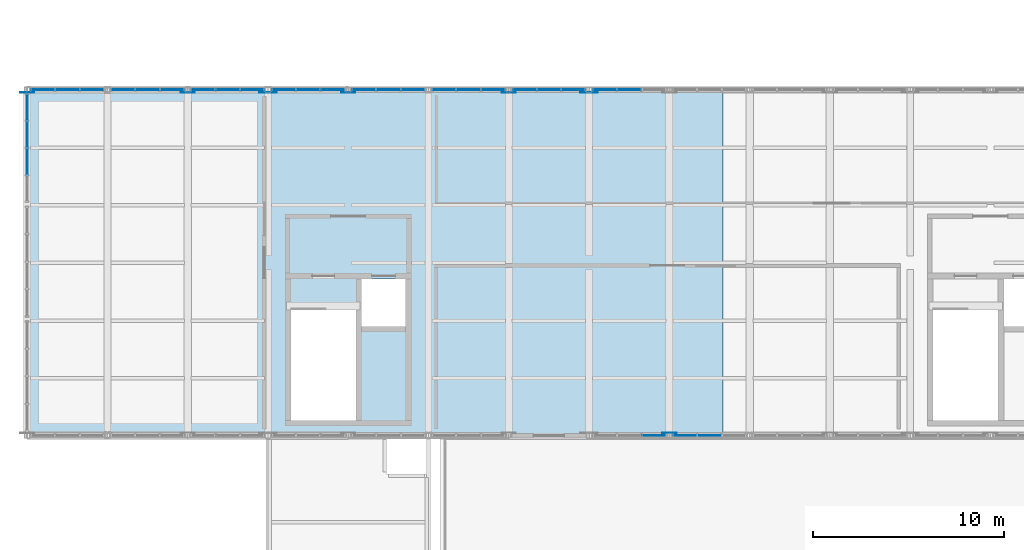
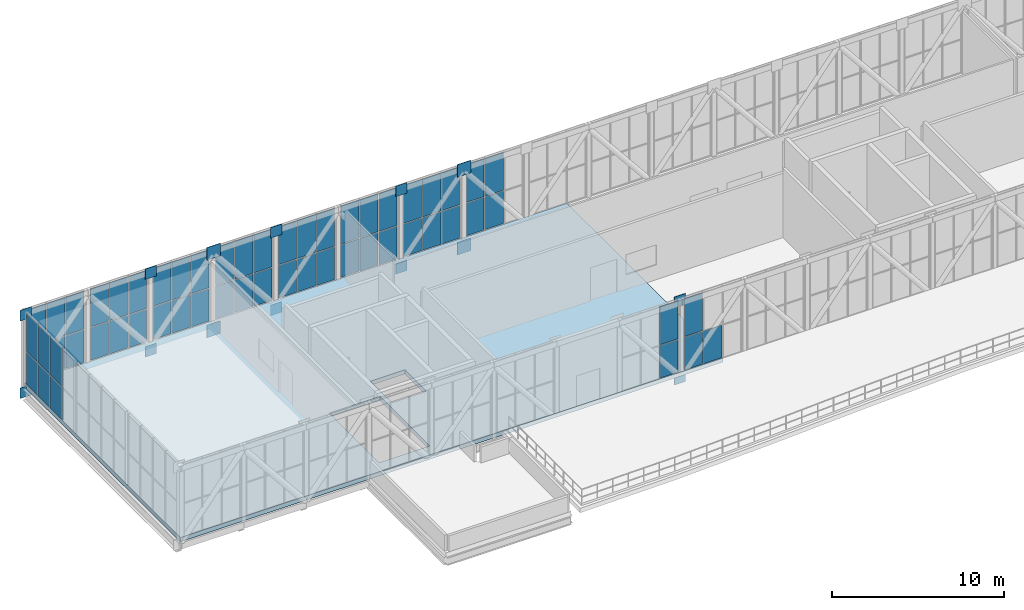
# One storey, part 45 of 58: 71 plates, 1 slab, 11 elements without a shape of their own.
"""IFC4 building model written with IfcOpenShell, lengths in metres."""

from ifc_helpers import new_model, si_unit, direction, frame, origin, origin_2d, place, context, subcontext, project, spatial, polyline, rectangle, outline, extrude, material, layer, layer_set, type_object, element, aggregate, save


model = new_model("IFC4")

# Units and contexts
model_context = context("Model", 3, precision=1e-05, world=origin(), true_north=direction((0.0, 1.0)))
body_context = subcontext(model_context, "Body", "Model", "MODEL_VIEW")
ifc_project = project(units=[si_unit("LENGTHUNIT", "METRE"), si_unit("AREAUNIT", "SQUARE_METRE"), si_unit("VOLUMEUNIT", "CUBIC_METRE"), si_unit("PLANEANGLEUNIT", "RADIAN"), si_unit("MASSUNIT", "GRAM", prefix="KILO")], contexts=[model_context])

# Site, building, storey
site_placement = place(None, origin())
site = spatial("IfcSite", under=ifc_project, at=site_placement, CompositionType="ELEMENT")
building_placement = place(site_placement, origin())
building = spatial("IfcBuilding", under=site, at=building_placement, Name="Khurvash Pelagic Aquarium", CompositionType="ELEMENT")
storey_placement = place(building_placement, frame((0.0, 0.0, 24.60009765625)))
storey = spatial("IfcBuildingStorey", under=building, at=storey_placement, Name="L05", CompositionType="ELEMENT", Elevation=24.60009765625)

# Curtain wall, plates
ifc_material_1 = material(Name="Anodised aluminium and low-E laminated glass", Category="aluminium")
curtain_wall_type_1 = type_object("IfcCurtainWallType", Name="CW-01", PredefinedType="USERDEFINED", material=ifc_material_1)
curtain_wall_1_placement = place(storey_placement, origin())
curtain_wall_1 = element("IfcCurtainWall", 1, at=curtain_wall_1_placement, inside=storey, type_object=curtain_wall_type_1, Name="L05 South Sky-Bar Unitised Curtain Wall CW-01 P08", ObjectType="UNITISED CURTAIN WALL", PredefinedType="USERDEFINED")
ifc_material_2 = material(Name="Low-E laminated double glazing", Category="glass")
ifc_layer_1 = layer(ifc_material_2, 0.035888671875)
ifc_layer_set_1 = layer_set([ifc_layer_1], Name="Low-E laminated double glazing")
plate_type_1 = type_object("IfcPlateType", Name="CG-01", PredefinedType="CURTAIN_PANEL", material=ifc_layer_set_1)
plate_1_placement = place(storey_placement, frame((45.37841796875, 11.64990234375, 0.059814453125), z_axis=(0.0, 0.0, 1.0), x_axis=(1.0, 0.0, 0.0)))
plate_1 = element("IfcPlate", 2, at=plate_1_placement, type_object=plate_type_1, Name="CW-01 panel 3.1", PredefinedType="CURTAIN_PANEL", context=body_context, shape_type="SweptSolid", body=[
    extrude(rectangle(XDim=1.203369140625, YDim=0.035888671875, at=origin_2d()), origin(), (0.0, 0.0, 1.0), 2.31005859375),
])
plate_2_placement = place(storey_placement, frame((45.37841796875, 11.64990234375, 2.429931640625), z_axis=(0.0, 0.0, 1.0), x_axis=(1.0, 0.0, 0.0)))
plate_2 = element("IfcPlate", 3, at=plate_2_placement, type_object=plate_type_1, Name="CW-01 panel 3.2", PredefinedType="CURTAIN_PANEL", context=body_context, shape_type="SweptSolid", body=[
    extrude(rectangle(XDim=1.203369140625, YDim=0.035888671875, at=origin_2d()), origin(), (0.0, 0.0, 1.0), 2.68994140625),
])
aggregate(curtain_wall_1, [plate_1, plate_2])

curtain_wall_2_placement = place(storey_placement, origin())
curtain_wall_2 = element("IfcCurtainWall", 4, at=curtain_wall_2_placement, inside=storey, type_object=curtain_wall_type_1, Name="L05 South Sky-Bar Unitised Curtain Wall CW-01 P09", ObjectType="UNITISED CURTAIN WALL", PredefinedType="USERDEFINED")
plate_3_placement = place(storey_placement, frame((47.021728515625, 11.64990234375, 0.059814453125), z_axis=(0.0, 0.0, 1.0), x_axis=(1.0, 0.0, 0.0)))
plate_3 = element("IfcPlate", 5, at=plate_3_placement, type_object=plate_type_1, Name="CW-01 panel 1.1", PredefinedType="CURTAIN_PANEL", context=body_context, shape_type="SweptSolid", body=[
    extrude(rectangle(XDim=1.203369140625, YDim=0.035888671875, at=origin_2d()), origin(), (0.0, 0.0, 1.0), 2.31005859375),
])
plate_4_placement = place(storey_placement, frame((47.021728515625, 11.64990234375, 2.429931640625), z_axis=(0.0, 0.0, 1.0), x_axis=(1.0, 0.0, 0.0)))
plate_4 = element("IfcPlate", 6, at=plate_4_placement, type_object=plate_type_1, Name="CW-01 panel 1.2", PredefinedType="CURTAIN_PANEL", context=body_context, shape_type="SweptSolid", body=[
    extrude(rectangle(XDim=1.203369140625, YDim=0.035888671875, at=origin_2d()), origin(), (0.0, 0.0, 1.0), 2.68994140625),
])
plate_5_placement = place(storey_placement, frame((48.300048828125, 11.64990234375, 0.059814453125), z_axis=(0.0, 0.0, 1.0), x_axis=(1.0, 0.0, 0.0)))
plate_5 = element("IfcPlate", 7, at=plate_5_placement, type_object=plate_type_1, Name="CW-01 panel 2.1", PredefinedType="CURTAIN_PANEL", context=body_context, shape_type="SweptSolid", body=[
    extrude(rectangle(XDim=1.2333984375, YDim=0.035888671875, at=origin_2d()), origin(), (0.0, 0.0, 1.0), 2.31005859375),
])
aggregate(curtain_wall_2, [plate_3, plate_4, plate_5])

curtain_wall_3_placement = place(storey_placement, origin())
curtain_wall_3 = element("IfcCurtainWall", 8, at=curtain_wall_3_placement, inside=storey, type_object=curtain_wall_type_1, Name="L05 North Sky-Bar Unitised Curtain Wall CW-01 P01", ObjectType="UNITISED CURTAIN WALL", PredefinedType="USERDEFINED")
plate_6_placement = place(storey_placement, frame((13.421630859375, 29.75, 0.059814453125), z_axis=(0.0, 0.0, 1.0), x_axis=(1.0, 0.0, 0.0)))
plate_6 = element("IfcPlate", 9, at=plate_6_placement, type_object=plate_type_1, Name="CW-01 panel 1.1", PredefinedType="CURTAIN_PANEL", context=body_context, shape_type="SweptSolid", body=[
    extrude(rectangle(XDim=1.203369140625, YDim=0.035888671875, at=origin_2d()), origin(), (0.0, 0.0, 1.0), 2.31005859375),
])
plate_7_placement = place(storey_placement, frame((13.421630859375, 29.75, 2.429931640625), z_axis=(0.0, 0.0, 1.0), x_axis=(1.0, 0.0, 0.0)))
plate_7 = element("IfcPlate", 10, at=plate_7_placement, type_object=plate_type_1, Name="CW-01 panel 1.2", PredefinedType="CURTAIN_PANEL", context=body_context, shape_type="SweptSolid", body=[
    extrude(rectangle(XDim=1.203369140625, YDim=0.035888671875, at=origin_2d()), origin(), (0.0, 0.0, 1.0), 2.68994140625),
])
plate_8_placement = place(storey_placement, frame((14.699951171875, 29.75, 0.059814453125), z_axis=(0.0, 0.0, 1.0), x_axis=(1.0, 0.0, 0.0)))
plate_8 = element("IfcPlate", 11, at=plate_8_placement, type_object=plate_type_1, Name="CW-01 panel 2.1", PredefinedType="CURTAIN_PANEL", context=body_context, shape_type="SweptSolid", body=[
    extrude(rectangle(XDim=1.2333984375, YDim=0.035888671875, at=origin_2d()), origin(), (0.0, 0.0, 1.0), 2.31005859375),
])
plate_9_placement = place(storey_placement, frame((14.699951171875, 29.75, 2.429931640625), z_axis=(0.0, 0.0, 1.0), x_axis=(1.0, 0.0, 0.0)))
plate_9 = element("IfcPlate", 12, at=plate_9_placement, type_object=plate_type_1, Name="CW-01 panel 2.2", PredefinedType="CURTAIN_PANEL", context=body_context, shape_type="SweptSolid", body=[
    extrude(rectangle(XDim=1.2333984375, YDim=0.035888671875, at=origin_2d()), origin(), (0.0, 0.0, 1.0), 2.68994140625),
])
plate_10_placement = place(storey_placement, frame((15.978271484375, 29.75, 0.059814453125), z_axis=(0.0, 0.0, 1.0), x_axis=(1.0, 0.0, 0.0)))
plate_10 = element("IfcPlate", 13, at=plate_10_placement, type_object=plate_type_1, Name="CW-01 panel 3.1", PredefinedType="CURTAIN_PANEL", context=body_context, shape_type="SweptSolid", body=[
    extrude(rectangle(XDim=1.203369140625, YDim=0.035888671875, at=origin_2d()), origin(), (0.0, 0.0, 1.0), 2.31005859375),
])
plate_11_placement = place(storey_placement, frame((15.978271484375, 29.75, 2.429931640625), z_axis=(0.0, 0.0, 1.0), x_axis=(1.0, 0.0, 0.0)))
plate_11 = element("IfcPlate", 14, at=plate_11_placement, type_object=plate_type_1, Name="CW-01 panel 3.2", PredefinedType="CURTAIN_PANEL", context=body_context, shape_type="SweptSolid", body=[
    extrude(rectangle(XDim=1.203369140625, YDim=0.035888671875, at=origin_2d()), origin(), (0.0, 0.0, 1.0), 2.68994140625),
])
aggregate(curtain_wall_3, [plate_6, plate_7, plate_8, plate_9, plate_10, plate_11])

curtain_wall_4_placement = place(storey_placement, origin())
curtain_wall_4 = element("IfcCurtainWall", 15, at=curtain_wall_4_placement, inside=storey, type_object=curtain_wall_type_1, Name="L05 North Sky-Bar Unitised Curtain Wall CW-01 P02", ObjectType="UNITISED CURTAIN WALL", PredefinedType="USERDEFINED")
plate_12_placement = place(storey_placement, frame((17.62158203125, 29.75, 0.059814453125), z_axis=(0.0, 0.0, 1.0), x_axis=(1.0, 0.0, 0.0)))
plate_12 = element("IfcPlate", 16, at=plate_12_placement, type_object=plate_type_1, Name="CW-01 panel 1.1", PredefinedType="CURTAIN_PANEL", context=body_context, shape_type="SweptSolid", body=[
    extrude(rectangle(XDim=1.203369140625, YDim=0.035888671875, at=origin_2d()), origin(), (0.0, 0.0, 1.0), 2.31005859375),
])
plate_13_placement = place(storey_placement, frame((17.62158203125, 29.75, 2.429931640625), z_axis=(0.0, 0.0, 1.0), x_axis=(1.0, 0.0, 0.0)))
plate_13 = element("IfcPlate", 17, at=plate_13_placement, type_object=plate_type_1, Name="CW-01 panel 1.2", PredefinedType="CURTAIN_PANEL", context=body_context, shape_type="SweptSolid", body=[
    extrude(rectangle(XDim=1.203369140625, YDim=0.035888671875, at=origin_2d()), origin(), (0.0, 0.0, 1.0), 2.68994140625),
])
plate_14_placement = place(storey_placement, frame((18.89990234375, 29.75, 0.059814453125), z_axis=(0.0, 0.0, 1.0), x_axis=(1.0, 0.0, 0.0)))
plate_14 = element("IfcPlate", 18, at=plate_14_placement, type_object=plate_type_1, Name="CW-01 panel 2.1", PredefinedType="CURTAIN_PANEL", context=body_context, shape_type="SweptSolid", body=[
    extrude(rectangle(XDim=1.2333984375, YDim=0.035888671875, at=origin_2d()), origin(), (0.0, 0.0, 1.0), 2.31005859375),
])
plate_15_placement = place(storey_placement, frame((18.89990234375, 29.75, 2.429931640625), z_axis=(0.0, 0.0, 1.0), x_axis=(1.0, 0.0, 0.0)))
plate_15 = element("IfcPlate", 19, at=plate_15_placement, type_object=plate_type_1, Name="CW-01 panel 2.2", PredefinedType="CURTAIN_PANEL", context=body_context, shape_type="SweptSolid", body=[
    extrude(rectangle(XDim=1.2333984375, YDim=0.035888671875, at=origin_2d()), origin(), (0.0, 0.0, 1.0), 2.68994140625),
])
plate_16_placement = place(storey_placement, frame((20.17822265625, 29.75, 0.059814453125), z_axis=(0.0, 0.0, 1.0), x_axis=(1.0, 0.0, 0.0)))
plate_16 = element("IfcPlate", 20, at=plate_16_placement, type_object=plate_type_1, Name="CW-01 panel 3.1", PredefinedType="CURTAIN_PANEL", context=body_context, shape_type="SweptSolid", body=[
    extrude(rectangle(XDim=1.203369140625, YDim=0.035888671875, at=origin_2d()), origin(), (0.0, 0.0, 1.0), 2.31005859375),
])
plate_17_placement = place(storey_placement, frame((20.17822265625, 29.75, 2.429931640625), z_axis=(0.0, 0.0, 1.0), x_axis=(1.0, 0.0, 0.0)))
plate_17 = element("IfcPlate", 21, at=plate_17_placement, type_object=plate_type_1, Name="CW-01 panel 3.2", PredefinedType="CURTAIN_PANEL", context=body_context, shape_type="SweptSolid", body=[
    extrude(rectangle(XDim=1.203369140625, YDim=0.035888671875, at=origin_2d()), origin(), (0.0, 0.0, 1.0), 2.68994140625),
])
aggregate(curtain_wall_4, [plate_12, plate_13, plate_14, plate_15, plate_16, plate_17])

curtain_wall_5_placement = place(storey_placement, origin())
curtain_wall_5 = element("IfcCurtainWall", 22, at=curtain_wall_5_placement, inside=storey, type_object=curtain_wall_type_1, Name="L05 North Sky-Bar Unitised Curtain Wall CW-01 P03", ObjectType="UNITISED CURTAIN WALL", PredefinedType="USERDEFINED")
plate_18_placement = place(storey_placement, frame((21.82177734375, 29.75, 0.059814453125), z_axis=(0.0, 0.0, 1.0), x_axis=(1.0, 0.0, 0.0)))
plate_18 = element("IfcPlate", 23, at=plate_18_placement, type_object=plate_type_1, Name="CW-01 panel 1.1", PredefinedType="CURTAIN_PANEL", context=body_context, shape_type="SweptSolid", body=[
    extrude(rectangle(XDim=1.203369140625, YDim=0.035888671875, at=origin_2d()), origin(), (0.0, 0.0, 1.0), 2.31005859375),
])
plate_19_placement = place(storey_placement, frame((21.82177734375, 29.75, 2.429931640625), z_axis=(0.0, 0.0, 1.0), x_axis=(1.0, 0.0, 0.0)))
plate_19 = element("IfcPlate", 24, at=plate_19_placement, type_object=plate_type_1, Name="CW-01 panel 1.2", PredefinedType="CURTAIN_PANEL", context=body_context, shape_type="SweptSolid", body=[
    extrude(rectangle(XDim=1.203369140625, YDim=0.035888671875, at=origin_2d()), origin(), (0.0, 0.0, 1.0), 2.68994140625),
])
plate_20_placement = place(storey_placement, frame((23.10009765625, 29.75, 0.059814453125), z_axis=(0.0, 0.0, 1.0), x_axis=(1.0, 0.0, 0.0)))
plate_20 = element("IfcPlate", 25, at=plate_20_placement, type_object=plate_type_1, Name="CW-01 panel 2.1", PredefinedType="CURTAIN_PANEL", context=body_context, shape_type="SweptSolid", body=[
    extrude(rectangle(XDim=1.2333984375, YDim=0.035888671875, at=origin_2d()), origin(), (0.0, 0.0, 1.0), 2.31005859375),
])
plate_21_placement = place(storey_placement, frame((23.10009765625, 29.75, 2.429931640625), z_axis=(0.0, 0.0, 1.0), x_axis=(1.0, 0.0, 0.0)))
plate_21 = element("IfcPlate", 26, at=plate_21_placement, type_object=plate_type_1, Name="CW-01 panel 2.2", PredefinedType="CURTAIN_PANEL", context=body_context, shape_type="SweptSolid", body=[
    extrude(rectangle(XDim=1.2333984375, YDim=0.035888671875, at=origin_2d()), origin(), (0.0, 0.0, 1.0), 2.68994140625),
])
plate_22_placement = place(storey_placement, frame((24.37841796875, 29.75, 0.059814453125), z_axis=(0.0, 0.0, 1.0), x_axis=(1.0, 0.0, 0.0)))
plate_22 = element("IfcPlate", 27, at=plate_22_placement, type_object=plate_type_1, Name="CW-01 panel 3.1", PredefinedType="CURTAIN_PANEL", context=body_context, shape_type="SweptSolid", body=[
    extrude(rectangle(XDim=1.203369140625, YDim=0.035888671875, at=origin_2d()), origin(), (0.0, 0.0, 1.0), 2.31005859375),
])
plate_23_placement = place(storey_placement, frame((24.37841796875, 29.75, 2.429931640625), z_axis=(0.0, 0.0, 1.0), x_axis=(1.0, 0.0, 0.0)))
plate_23 = element("IfcPlate", 28, at=plate_23_placement, type_object=plate_type_1, Name="CW-01 panel 3.2", PredefinedType="CURTAIN_PANEL", context=body_context, shape_type="SweptSolid", body=[
    extrude(rectangle(XDim=1.203369140625, YDim=0.035888671875, at=origin_2d()), origin(), (0.0, 0.0, 1.0), 2.68994140625),
])
aggregate(curtain_wall_5, [plate_18, plate_19, plate_20, plate_21, plate_22, plate_23])

curtain_wall_6_placement = place(storey_placement, origin())
curtain_wall_6 = element("IfcCurtainWall", 29, at=curtain_wall_6_placement, inside=storey, type_object=curtain_wall_type_1, Name="L05 North Sky-Bar Unitised Curtain Wall CW-01 P04", ObjectType="UNITISED CURTAIN WALL", PredefinedType="USERDEFINED")
plate_24_placement = place(storey_placement, frame((26.021728515625, 29.75, 0.059814453125), z_axis=(0.0, 0.0, 1.0), x_axis=(1.0, 0.0, 0.0)))
plate_24 = element("IfcPlate", 30, at=plate_24_placement, type_object=plate_type_1, Name="CW-01 panel 1.1", PredefinedType="CURTAIN_PANEL", context=body_context, shape_type="SweptSolid", body=[
    extrude(rectangle(XDim=1.203369140625, YDim=0.035888671875, at=origin_2d()), origin(), (0.0, 0.0, 1.0), 2.31005859375),
])
plate_25_placement = place(storey_placement, frame((26.021728515625, 29.75, 2.429931640625), z_axis=(0.0, 0.0, 1.0), x_axis=(1.0, 0.0, 0.0)))
plate_25 = element("IfcPlate", 31, at=plate_25_placement, type_object=plate_type_1, Name="CW-01 panel 1.2", PredefinedType="CURTAIN_PANEL", context=body_context, shape_type="SweptSolid", body=[
    extrude(rectangle(XDim=1.203369140625, YDim=0.035888671875, at=origin_2d()), origin(), (0.0, 0.0, 1.0), 2.68994140625),
])
plate_26_placement = place(storey_placement, frame((27.300048828125, 29.75, 0.059814453125), z_axis=(0.0, 0.0, 1.0), x_axis=(1.0, 0.0, 0.0)))
plate_26 = element("IfcPlate", 32, at=plate_26_placement, type_object=plate_type_1, Name="CW-01 panel 2.1", PredefinedType="CURTAIN_PANEL", context=body_context, shape_type="SweptSolid", body=[
    extrude(rectangle(XDim=1.2333984375, YDim=0.035888671875, at=origin_2d()), origin(), (0.0, 0.0, 1.0), 2.31005859375),
])
plate_27_placement = place(storey_placement, frame((27.300048828125, 29.75, 2.429931640625), z_axis=(0.0, 0.0, 1.0), x_axis=(1.0, 0.0, 0.0)))
plate_27 = element("IfcPlate", 33, at=plate_27_placement, type_object=plate_type_1, Name="CW-01 panel 2.2", PredefinedType="CURTAIN_PANEL", context=body_context, shape_type="SweptSolid", body=[
    extrude(rectangle(XDim=1.2333984375, YDim=0.035888671875, at=origin_2d()), origin(), (0.0, 0.0, 1.0), 2.68994140625),
])
plate_28_placement = place(storey_placement, frame((28.578369140625, 29.75, 0.059814453125), z_axis=(0.0, 0.0, 1.0), x_axis=(1.0, 0.0, 0.0)))
plate_28 = element("IfcPlate", 34, at=plate_28_placement, type_object=plate_type_1, Name="CW-01 panel 3.1", PredefinedType="CURTAIN_PANEL", context=body_context, shape_type="SweptSolid", body=[
    extrude(rectangle(XDim=1.203369140625, YDim=0.035888671875, at=origin_2d()), origin(), (0.0, 0.0, 1.0), 2.31005859375),
])
plate_29_placement = place(storey_placement, frame((28.578369140625, 29.75, 2.429931640625), z_axis=(0.0, 0.0, 1.0), x_axis=(1.0, 0.0, 0.0)))
plate_29 = element("IfcPlate", 35, at=plate_29_placement, type_object=plate_type_1, Name="CW-01 panel 3.2", PredefinedType="CURTAIN_PANEL", context=body_context, shape_type="SweptSolid", body=[
    extrude(rectangle(XDim=1.203369140625, YDim=0.035888671875, at=origin_2d()), origin(), (0.0, 0.0, 1.0), 2.68994140625),
])
aggregate(curtain_wall_6, [plate_24, plate_25, plate_26, plate_27, plate_28, plate_29])

curtain_wall_7_placement = place(storey_placement, origin())
curtain_wall_7 = element("IfcCurtainWall", 36, at=curtain_wall_7_placement, inside=storey, type_object=curtain_wall_type_1, Name="L05 North Sky-Bar Unitised Curtain Wall CW-01 P05", ObjectType="UNITISED CURTAIN WALL", PredefinedType="USERDEFINED")
plate_30_placement = place(storey_placement, frame((30.2216796875, 29.75, 0.059814453125), z_axis=(0.0, 0.0, 1.0), x_axis=(1.0, 0.0, 0.0)))
plate_30 = element("IfcPlate", 37, at=plate_30_placement, type_object=plate_type_1, Name="CW-01 panel 1.1", PredefinedType="CURTAIN_PANEL", context=body_context, shape_type="SweptSolid", body=[
    extrude(rectangle(XDim=1.203369140625, YDim=0.035888671875, at=origin_2d()), origin(), (0.0, 0.0, 1.0), 2.31005859375),
])
plate_31_placement = place(storey_placement, frame((30.2216796875, 29.75, 2.429931640625), z_axis=(0.0, 0.0, 1.0), x_axis=(1.0, 0.0, 0.0)))
plate_31 = element("IfcPlate", 38, at=plate_31_placement, type_object=plate_type_1, Name="CW-01 panel 1.2", PredefinedType="CURTAIN_PANEL", context=body_context, shape_type="SweptSolid", body=[
    extrude(rectangle(XDim=1.203369140625, YDim=0.035888671875, at=origin_2d()), origin(), (0.0, 0.0, 1.0), 2.68994140625),
])
plate_32_placement = place(storey_placement, frame((31.5, 29.75, 0.059814453125), z_axis=(0.0, 0.0, 1.0), x_axis=(1.0, 0.0, 0.0)))
plate_32 = element("IfcPlate", 39, at=plate_32_placement, type_object=plate_type_1, Name="CW-01 panel 2.1", PredefinedType="CURTAIN_PANEL", context=body_context, shape_type="SweptSolid", body=[
    extrude(rectangle(XDim=1.2333984375, YDim=0.035888671875, at=origin_2d()), origin(), (0.0, 0.0, 1.0), 2.31005859375),
])
plate_33_placement = place(storey_placement, frame((31.5, 29.75, 2.429931640625), z_axis=(0.0, 0.0, 1.0), x_axis=(1.0, 0.0, 0.0)))
plate_33 = element("IfcPlate", 40, at=plate_33_placement, type_object=plate_type_1, Name="CW-01 panel 2.2", PredefinedType="CURTAIN_PANEL", context=body_context, shape_type="SweptSolid", body=[
    extrude(rectangle(XDim=1.2333984375, YDim=0.035888671875, at=origin_2d()), origin(), (0.0, 0.0, 1.0), 2.68994140625),
])
plate_34_placement = place(storey_placement, frame((32.7783203125, 29.75, 0.059814453125), z_axis=(0.0, 0.0, 1.0), x_axis=(1.0, 0.0, 0.0)))
plate_34 = element("IfcPlate", 41, at=plate_34_placement, type_object=plate_type_1, Name="CW-01 panel 3.1", PredefinedType="CURTAIN_PANEL", context=body_context, shape_type="SweptSolid", body=[
    extrude(rectangle(XDim=1.203369140625, YDim=0.035888671875, at=origin_2d()), origin(), (0.0, 0.0, 1.0), 2.31005859375),
])
plate_35_placement = place(storey_placement, frame((32.7783203125, 29.75, 2.429931640625), z_axis=(0.0, 0.0, 1.0), x_axis=(1.0, 0.0, 0.0)))
plate_35 = element("IfcPlate", 42, at=plate_35_placement, type_object=plate_type_1, Name="CW-01 panel 3.2", PredefinedType="CURTAIN_PANEL", context=body_context, shape_type="SweptSolid", body=[
    extrude(rectangle(XDim=1.203369140625, YDim=0.035888671875, at=origin_2d()), origin(), (0.0, 0.0, 1.0), 2.68994140625),
])
aggregate(curtain_wall_7, [plate_30, plate_31, plate_32, plate_33, plate_34, plate_35])

curtain_wall_8_placement = place(storey_placement, origin())
curtain_wall_8 = element("IfcCurtainWall", 43, at=curtain_wall_8_placement, inside=storey, type_object=curtain_wall_type_1, Name="L05 North Sky-Bar Unitised Curtain Wall CW-01 P06", ObjectType="UNITISED CURTAIN WALL", PredefinedType="USERDEFINED")
plate_36_placement = place(storey_placement, frame((34.421630859375, 29.75, 0.059814453125), z_axis=(0.0, 0.0, 1.0), x_axis=(1.0, 0.0, 0.0)))
plate_36 = element("IfcPlate", 44, at=plate_36_placement, type_object=plate_type_1, Name="CW-01 panel 1.1", PredefinedType="CURTAIN_PANEL", context=body_context, shape_type="SweptSolid", body=[
    extrude(rectangle(XDim=1.203369140625, YDim=0.035888671875, at=origin_2d()), origin(), (0.0, 0.0, 1.0), 2.31005859375),
])
plate_37_placement = place(storey_placement, frame((34.421630859375, 29.75, 2.429931640625), z_axis=(0.0, 0.0, 1.0), x_axis=(1.0, 0.0, 0.0)))
plate_37 = element("IfcPlate", 45, at=plate_37_placement, type_object=plate_type_1, Name="CW-01 panel 1.2", PredefinedType="CURTAIN_PANEL", context=body_context, shape_type="SweptSolid", body=[
    extrude(rectangle(XDim=1.203369140625, YDim=0.035888671875, at=origin_2d()), origin(), (0.0, 0.0, 1.0), 2.68994140625),
])
plate_38_placement = place(storey_placement, frame((35.699951171875, 29.75, 0.059814453125), z_axis=(0.0, 0.0, 1.0), x_axis=(1.0, 0.0, 0.0)))
plate_38 = element("IfcPlate", 46, at=plate_38_placement, type_object=plate_type_1, Name="CW-01 panel 2.1", PredefinedType="CURTAIN_PANEL", context=body_context, shape_type="SweptSolid", body=[
    extrude(rectangle(XDim=1.2333984375, YDim=0.035888671875, at=origin_2d()), origin(), (0.0, 0.0, 1.0), 2.31005859375),
])
plate_39_placement = place(storey_placement, frame((35.699951171875, 29.75, 2.429931640625), z_axis=(0.0, 0.0, 1.0), x_axis=(1.0, 0.0, 0.0)))
plate_39 = element("IfcPlate", 47, at=plate_39_placement, type_object=plate_type_1, Name="CW-01 panel 2.2", PredefinedType="CURTAIN_PANEL", context=body_context, shape_type="SweptSolid", body=[
    extrude(rectangle(XDim=1.2333984375, YDim=0.035888671875, at=origin_2d()), origin(), (0.0, 0.0, 1.0), 2.68994140625),
])
plate_40_placement = place(storey_placement, frame((36.978271484375, 29.75, 0.059814453125), z_axis=(0.0, 0.0, 1.0), x_axis=(1.0, 0.0, 0.0)))
plate_40 = element("IfcPlate", 48, at=plate_40_placement, type_object=plate_type_1, Name="CW-01 panel 3.1", PredefinedType="CURTAIN_PANEL", context=body_context, shape_type="SweptSolid", body=[
    extrude(rectangle(XDim=1.203369140625, YDim=0.035888671875, at=origin_2d()), origin(), (0.0, 0.0, 1.0), 2.31005859375),
])
plate_41_placement = place(storey_placement, frame((36.978271484375, 29.75, 2.429931640625), z_axis=(0.0, 0.0, 1.0), x_axis=(1.0, 0.0, 0.0)))
plate_41 = element("IfcPlate", 49, at=plate_41_placement, type_object=plate_type_1, Name="CW-01 panel 3.2", PredefinedType="CURTAIN_PANEL", context=body_context, shape_type="SweptSolid", body=[
    extrude(rectangle(XDim=1.203369140625, YDim=0.035888671875, at=origin_2d()), origin(), (0.0, 0.0, 1.0), 2.68994140625),
])
aggregate(curtain_wall_8, [plate_36, plate_37, plate_38, plate_39, plate_40, plate_41])

curtain_wall_9_placement = place(storey_placement, origin())
curtain_wall_9 = element("IfcCurtainWall", 50, at=curtain_wall_9_placement, inside=storey, type_object=curtain_wall_type_1, Name="L05 North Sky-Bar Unitised Curtain Wall CW-01 P07", ObjectType="UNITISED CURTAIN WALL", PredefinedType="USERDEFINED")
plate_42_placement = place(storey_placement, frame((38.62158203125, 29.75, 0.059814453125), z_axis=(0.0, 0.0, 1.0), x_axis=(1.0, 0.0, 0.0)))
plate_42 = element("IfcPlate", 51, at=plate_42_placement, type_object=plate_type_1, Name="CW-01 panel 1.1", PredefinedType="CURTAIN_PANEL", context=body_context, shape_type="SweptSolid", body=[
    extrude(rectangle(XDim=1.203369140625, YDim=0.035888671875, at=origin_2d()), origin(), (0.0, 0.0, 1.0), 2.31005859375),
])
plate_43_placement = place(storey_placement, frame((38.62158203125, 29.75, 2.429931640625), z_axis=(0.0, 0.0, 1.0), x_axis=(1.0, 0.0, 0.0)))
plate_43 = element("IfcPlate", 52, at=plate_43_placement, type_object=plate_type_1, Name="CW-01 panel 1.2", PredefinedType="CURTAIN_PANEL", context=body_context, shape_type="SweptSolid", body=[
    extrude(rectangle(XDim=1.203369140625, YDim=0.035888671875, at=origin_2d()), origin(), (0.0, 0.0, 1.0), 2.68994140625),
])
plate_44_placement = place(storey_placement, frame((39.89990234375, 29.75, 0.059814453125), z_axis=(0.0, 0.0, 1.0), x_axis=(1.0, 0.0, 0.0)))
plate_44 = element("IfcPlate", 53, at=plate_44_placement, type_object=plate_type_1, Name="CW-01 panel 2.1", PredefinedType="CURTAIN_PANEL", context=body_context, shape_type="SweptSolid", body=[
    extrude(rectangle(XDim=1.2333984375, YDim=0.035888671875, at=origin_2d()), origin(), (0.0, 0.0, 1.0), 2.31005859375),
])
plate_45_placement = place(storey_placement, frame((39.89990234375, 29.75, 2.429931640625), z_axis=(0.0, 0.0, 1.0), x_axis=(1.0, 0.0, 0.0)))
plate_45 = element("IfcPlate", 54, at=plate_45_placement, type_object=plate_type_1, Name="CW-01 panel 2.2", PredefinedType="CURTAIN_PANEL", context=body_context, shape_type="SweptSolid", body=[
    extrude(rectangle(XDim=1.2333984375, YDim=0.035888671875, at=origin_2d()), origin(), (0.0, 0.0, 1.0), 2.68994140625),
])
plate_46_placement = place(storey_placement, frame((41.17822265625, 29.75, 0.059814453125), z_axis=(0.0, 0.0, 1.0), x_axis=(1.0, 0.0, 0.0)))
plate_46 = element("IfcPlate", 55, at=plate_46_placement, type_object=plate_type_1, Name="CW-01 panel 3.1", PredefinedType="CURTAIN_PANEL", context=body_context, shape_type="SweptSolid", body=[
    extrude(rectangle(XDim=1.203369140625, YDim=0.035888671875, at=origin_2d()), origin(), (0.0, 0.0, 1.0), 2.31005859375),
])
plate_47_placement = place(storey_placement, frame((41.17822265625, 29.75, 2.429931640625), z_axis=(0.0, 0.0, 1.0), x_axis=(1.0, 0.0, 0.0)))
plate_47 = element("IfcPlate", 56, at=plate_47_placement, type_object=plate_type_1, Name="CW-01 panel 3.2", PredefinedType="CURTAIN_PANEL", context=body_context, shape_type="SweptSolid", body=[
    extrude(rectangle(XDim=1.203369140625, YDim=0.035888671875, at=origin_2d()), origin(), (0.0, 0.0, 1.0), 2.68994140625),
])
aggregate(curtain_wall_9, [plate_42, plate_43, plate_44, plate_45, plate_46, plate_47])

curtain_wall_10_placement = place(storey_placement, origin())
curtain_wall_10 = element("IfcCurtainWall", 57, at=curtain_wall_10_placement, inside=storey, type_object=curtain_wall_type_1, Name="L05 North Sky-Bar Unitised Curtain Wall CW-01 P08", ObjectType="UNITISED CURTAIN WALL", PredefinedType="USERDEFINED")
plate_48_placement = place(storey_placement, frame((42.82177734375, 29.75, 0.059814453125), z_axis=(0.0, 0.0, 1.0), x_axis=(1.0, 0.0, 0.0)))
plate_48 = element("IfcPlate", 58, at=plate_48_placement, type_object=plate_type_1, Name="CW-01 panel 1.1", PredefinedType="CURTAIN_PANEL", context=body_context, shape_type="SweptSolid", body=[
    extrude(rectangle(XDim=1.203369140625, YDim=0.035888671875, at=origin_2d()), origin(), (0.0, 0.0, 1.0), 2.31005859375),
])
plate_49_placement = place(storey_placement, frame((42.82177734375, 29.75, 2.429931640625), z_axis=(0.0, 0.0, 1.0), x_axis=(1.0, 0.0, 0.0)))
plate_49 = element("IfcPlate", 59, at=plate_49_placement, type_object=plate_type_1, Name="CW-01 panel 1.2", PredefinedType="CURTAIN_PANEL", context=body_context, shape_type="SweptSolid", body=[
    extrude(rectangle(XDim=1.203369140625, YDim=0.035888671875, at=origin_2d()), origin(), (0.0, 0.0, 1.0), 2.68994140625),
])
plate_50_placement = place(storey_placement, frame((44.10009765625, 29.75, 0.059814453125), z_axis=(0.0, 0.0, 1.0), x_axis=(1.0, 0.0, 0.0)))
plate_50 = element("IfcPlate", 60, at=plate_50_placement, type_object=plate_type_1, Name="CW-01 panel 2.1", PredefinedType="CURTAIN_PANEL", context=body_context, shape_type="SweptSolid", body=[
    extrude(rectangle(XDim=1.2333984375, YDim=0.035888671875, at=origin_2d()), origin(), (0.0, 0.0, 1.0), 2.31005859375),
])
plate_51_placement = place(storey_placement, frame((44.10009765625, 29.75, 2.429931640625), z_axis=(0.0, 0.0, 1.0), x_axis=(1.0, 0.0, 0.0)))
plate_51 = element("IfcPlate", 61, at=plate_51_placement, type_object=plate_type_1, Name="CW-01 panel 2.2", PredefinedType="CURTAIN_PANEL", context=body_context, shape_type="SweptSolid", body=[
    extrude(rectangle(XDim=1.2333984375, YDim=0.035888671875, at=origin_2d()), origin(), (0.0, 0.0, 1.0), 2.68994140625),
])
aggregate(curtain_wall_10, [plate_48, plate_49, plate_50, plate_51])

curtain_wall_type_2 = type_object("IfcCurtainWallType", Name="CW-04", PredefinedType="USERDEFINED", material=ifc_material_1)
curtain_wall_11_placement = place(storey_placement, origin())
curtain_wall_11 = element("IfcCurtainWall", 62, at=curtain_wall_11_placement, inside=storey, type_object=curtain_wall_type_2, Name="L05 West Cantilever Overlook Curtain Wall CW-04", ObjectType="UNITISED CURTAIN WALL", PredefinedType="USERDEFINED")
ifc_layer_2 = layer(ifc_material_2, 0.0400390625)
ifc_layer_set_2 = layer_set([ifc_layer_2], Name="Low-E laminated double glazing")
plate_type_2 = type_object("IfcPlateType", Name="CG-04", PredefinedType="CURTAIN_PANEL", material=ifc_layer_set_2)
plate_52_placement = place(storey_placement, frame((12.60009765625, 25.987548828125, 0.059814453125), z_axis=(0.0, 0.0, 1.0), x_axis=(0.0, 1.0, 0.0)))
plate_52 = element("IfcPlate", 63, at=plate_52_placement, type_object=plate_type_2, Name="CW-04 panel 2.1", PredefinedType="CURTAIN_PANEL", context=body_context, shape_type="SweptSolid", body=[
    extrude(rectangle(XDim=1.364990234375, YDim=0.0400390625, at=origin_2d()), origin(), (0.0, 0.0, 1.0), 2.31005859375),
])
plate_53_placement = place(storey_placement, frame((12.60009765625, 25.987548828125, 2.429931640625), z_axis=(0.0, 0.0, 1.0), x_axis=(0.0, 1.0, 0.0)))
plate_53 = element("IfcPlate", 64, at=plate_53_placement, type_object=plate_type_2, Name="CW-04 panel 2.2", PredefinedType="CURTAIN_PANEL", context=body_context, shape_type="SweptSolid", body=[
    extrude(rectangle(XDim=1.364990234375, YDim=0.0400390625, at=origin_2d()), origin(), (0.0, 0.0, 1.0), 2.68994140625),
])
plate_54_placement = place(storey_placement, frame((12.60009765625, 27.41259765625, 0.059814453125), z_axis=(0.0, 0.0, 1.0), x_axis=(0.0, 1.0, 0.0)))
plate_54 = element("IfcPlate", 65, at=plate_54_placement, type_object=plate_type_2, Name="CW-04 panel 3.1", PredefinedType="CURTAIN_PANEL", context=body_context, shape_type="SweptSolid", body=[
    extrude(rectangle(XDim=1.364990234375, YDim=0.0400390625, at=origin_2d()), origin(), (0.0, 0.0, 1.0), 2.31005859375),
])
plate_55_placement = place(storey_placement, frame((12.60009765625, 27.41259765625, 2.429931640625), z_axis=(0.0, 0.0, 1.0), x_axis=(0.0, 1.0, 0.0)))
plate_55 = element("IfcPlate", 66, at=plate_55_placement, type_object=plate_type_2, Name="CW-04 panel 3.2", PredefinedType="CURTAIN_PANEL", context=body_context, shape_type="SweptSolid", body=[
    extrude(rectangle(XDim=1.364990234375, YDim=0.0400390625, at=origin_2d()), origin(), (0.0, 0.0, 1.0), 2.68994140625),
])
plate_56_placement = place(storey_placement, frame((12.60009765625, 28.822509765625, 0.059814453125), z_axis=(0.0, 0.0, 1.0), x_axis=(0.0, 1.0, 0.0)))
plate_56 = element("IfcPlate", 67, at=plate_56_placement, type_object=plate_type_2, Name="CW-04 panel 4.1", PredefinedType="CURTAIN_PANEL", context=body_context, shape_type="SweptSolid", body=[
    extrude(rectangle(XDim=1.3349609375, YDim=0.0400390625, at=origin_2d()), origin(), (0.0, 0.0, 1.0), 2.31005859375),
])
plate_57_placement = place(storey_placement, frame((12.60009765625, 28.822509765625, 2.429931640625), z_axis=(0.0, 0.0, 1.0), x_axis=(0.0, 1.0, 0.0)))
plate_57 = element("IfcPlate", 68, at=plate_57_placement, type_object=plate_type_2, Name="CW-04 panel 4.2", PredefinedType="CURTAIN_PANEL", context=body_context, shape_type="SweptSolid", body=[
    extrude(rectangle(XDim=1.3349609375, YDim=0.0400390625, at=origin_2d()), origin(), (0.0, 0.0, 1.0), 2.68994140625),
])
aggregate(curtain_wall_11, [plate_52, plate_53, plate_54, plate_55, plate_56, plate_57])

# Slab
ifc_material_3 = material(Name="Concrete C40/50", Category="concrete")
ifc_layer_3 = layer(ifc_material_3, 0.300048828125)
ifc_layer_set_3 = layer_set([ifc_layer_3], Name="Concrete C40/50")
slab_type = type_object("IfcSlabType", Name="FS-300", PredefinedType="FLOOR", material=ifc_layer_set_3)
slab_placement = place(storey_placement, frame((0.0, 0.0, -0.300048828125)))
element("IfcSlab", 69, at=slab_placement, inside=storey, type_object=slab_type, Name="L05 Structural Floor Slab FS-300 V2_BAR.1", PredefinedType="FLOOR", context=body_context, shape_type="SweptSolid", body=[
    extrude(outline(polyline([(12.60009765625, 11.64990234375), (49.0, 11.64990234375), (49.0, 29.75), (12.60009765625, 29.75), (12.60009765625, 11.64990234375)]), holes=[polyline([(26.39990234375, 12.449951171875), (26.39990234375, 18.25), (29.800048828125, 18.25), (29.800048828125, 12.449951171875), (26.39990234375, 12.449951171875)]), polyline([(32.39990234375, 17.35009765625), (30.10009765625, 17.35009765625), (30.10009765625, 19.85009765625), (32.39990234375, 19.85009765625), (32.39990234375, 17.35009765625)])]), origin(), (0.0, 0.0, 1.0), 0.300048828125),
])

# Plates
ifc_material_4 = material(Name="Steel S355J2", Category="steel")
ifc_layer_4 = layer(ifc_material_4, 0.028076171875)
ifc_layer_set_4 = layer_set([ifc_layer_4], Name="Steel S355J2")
plate_type_3 = type_object("IfcPlateType", Name="ND-01", PredefinedType="USERDEFINED", material=ifc_layer_set_4)
for number, where, z_axis, x_axis, name in (
    (70, (25.199951171875, 29.610107421875, -0.97509765625), (0.0, 0.0, 1.0), (1.0, 0.0, 0.0), "L05 North Truss Bot Gusset Plate ND-01 N04"),
    (71, (25.199951171875, 29.610107421875, 4.530029296875), (0.0, 0.0, 1.0), (1.0, 0.0, 0.0), "L05 North Truss Top Gusset Plate ND-01 N04"),
    (72, (42.0, 29.610107421875, -0.97509765625), (0.0, 0.0, 1.0), (1.0, 0.0, 0.0), "L05 North Truss Bot Gusset Plate ND-01 N08"),
    (73, (42.0, 29.610107421875, 4.530029296875), (0.0, 0.0, 1.0), (1.0, 0.0, 0.0), "L05 North Truss Top Gusset Plate ND-01 N08"),
):
    element("IfcPlate", number, at=place(storey_placement, frame(where, z_axis=z_axis, x_axis=x_axis)), inside=storey, type_object=plate_type_3, Name=name, ObjectType="GUSSET PLATE", PredefinedType="USERDEFINED", context=body_context, shape_type="SweptSolid", body=[
        extrude(rectangle(XDim=0.89990234375, YDim=0.028076171875, at=origin_2d()), origin(), (0.0, 0.0, 1.0), 0.89990234375),
    ])
ifc_layer_5 = layer(ifc_material_4, 0.02392578125)
ifc_layer_set_5 = layer_set([ifc_layer_5], Name="Steel S355J2")
plate_type_4 = type_object("IfcPlateType", Name="ND-02", PredefinedType="USERDEFINED", material=ifc_layer_set_5)
for number, where, z_axis, x_axis, name in (
    (74, (46.199951171875, 11.7900390625, -0.900146484375), (0.0, 0.0, 1.0), (1.0, 0.0, 0.0), "L05 South Truss Bot Gusset Plate ND-02 N09"),
    (75, (46.199951171875, 11.7900390625, 4.60498046875), (0.0, 0.0, 1.0), (1.0, 0.0, 0.0), "L05 South Truss Top Gusset Plate ND-02 N09"),
    (76, (12.60009765625, 29.610107421875, -0.900146484375), (0.0, 0.0, 1.0), (1.0, 0.0, 0.0), "L05 North Truss Bot Gusset Plate ND-02 N01"),
    (77, (12.60009765625, 29.610107421875, 4.60498046875), (0.0, 0.0, 1.0), (1.0, 0.0, 0.0), "L05 North Truss Top Gusset Plate ND-02 N01"),
    (78, (21.0, 29.610107421875, -0.900146484375), (0.0, 0.0, 1.0), (1.0, 0.0, 0.0), "L05 North Truss Bot Gusset Plate ND-02 N03"),
    (79, (21.0, 29.610107421875, 4.60498046875), (0.0, 0.0, 1.0), (1.0, 0.0, 0.0), "L05 North Truss Top Gusset Plate ND-02 N03"),
    (80, (29.39990234375, 29.610107421875, -0.900146484375), (0.0, 0.0, 1.0), (1.0, 0.0, 0.0), "L05 North Truss Bot Gusset Plate ND-02 N05"),
    (81, (29.39990234375, 29.610107421875, 4.60498046875), (0.0, 0.0, 1.0), (1.0, 0.0, 0.0), "L05 North Truss Top Gusset Plate ND-02 N05"),
    (82, (37.800048828125, 29.610107421875, -0.900146484375), (0.0, 0.0, 1.0), (1.0, 0.0, 0.0), "L05 North Truss Bot Gusset Plate ND-02 N07"),
    (83, (37.800048828125, 29.610107421875, 4.60498046875), (0.0, 0.0, 1.0), (1.0, 0.0, 0.0), "L05 North Truss Top Gusset Plate ND-02 N07"),
):
    element("IfcPlate", number, at=place(storey_placement, frame(where, z_axis=z_axis, x_axis=x_axis)), inside=storey, type_object=plate_type_4, Name=name, ObjectType="GUSSET PLATE", PredefinedType="USERDEFINED", context=body_context, shape_type="SweptSolid", body=[
        extrude(rectangle(XDim=0.75, YDim=0.02392578125, at=origin_2d()), origin(), (0.0, 0.0, 1.0), 0.75),
    ])

save(model, "model.ifc")
